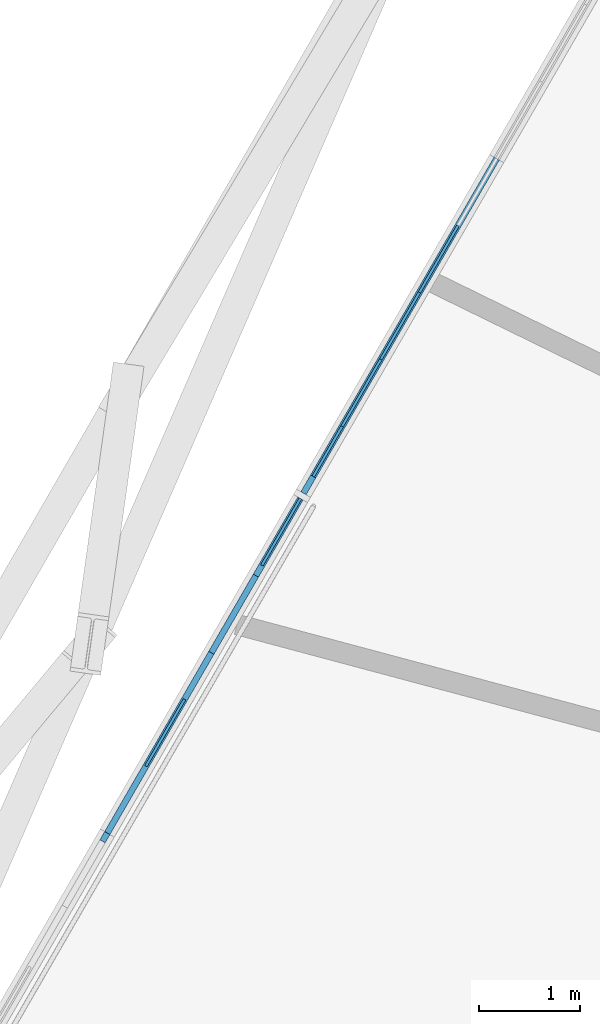
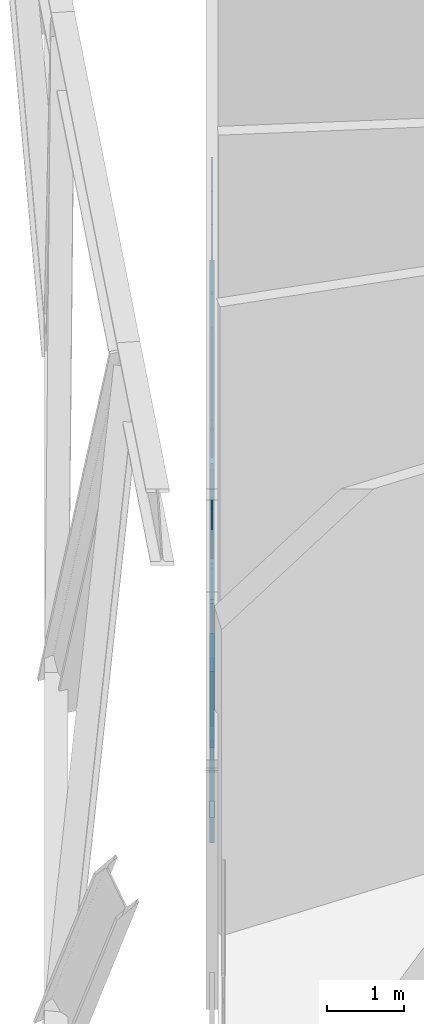
# One storey, part 13 of 29: 12 plates, 1 element without a shape of its own.
"""IFC4 building model written with IfcOpenShell, lengths in metres."""

from ifc_helpers import new_model, si_unit, direction, frame, origin, origin_2d, place, context, subcontext, project, spatial, rectangle, extrude, material, layer, layer_set, type_object, element, aggregate, save


model = new_model("IFC4")

# Units and contexts
model_context = context("Model", 3, precision=1e-05, world=origin(), true_north=direction((0.0, 1.0)))
body_context = subcontext(model_context, "Body", "Model", "MODEL_VIEW")
ifc_project = project(units=[si_unit("LENGTHUNIT", "METRE"), si_unit("AREAUNIT", "SQUARE_METRE"), si_unit("VOLUMEUNIT", "CUBIC_METRE"), si_unit("PLANEANGLEUNIT", "RADIAN"), si_unit("MASSUNIT", "GRAM", prefix="KILO")], contexts=[model_context])

# Site, building, storey
site_placement = place(None, origin())
site = spatial("IfcSite", under=ifc_project, at=site_placement, CompositionType="ELEMENT")
building_placement = place(site_placement, origin())
building = spatial("IfcBuilding", under=site, at=building_placement, Name="Spindle Arch Residences", CompositionType="ELEMENT")
storey_placement = place(building_placement, frame((0.0, 0.0, 69.89990234375)))
storey = spatial("IfcBuildingStorey", under=building, at=storey_placement, Name="L16", CompositionType="ELEMENT", Elevation=69.89990234375)

# Curtain wall, plates
ifc_material_1 = material(Name="Aluminium bronze unitised frame with tinted glass", Category="aluminium")
ifc_layer_1 = layer(ifc_material_1, 0.159912109375)
ifc_layer_set_1 = layer_set([ifc_layer_1], Name="CW-E double-height winter garden wall")
curtain_wall_type = type_object("IfcCurtainWallType", Name="CW-E double-height winter garden wall", PredefinedType="NOTDEFINED", material=ifc_layer_set_1)
curtain_wall_placement = place(storey_placement, origin())
curtain_wall = element("IfcCurtainWall", 1, at=curtain_wall_placement, inside=storey, type_object=curtain_wall_type, Name="CW-E L16 run 4", PredefinedType="NOTDEFINED")
ifc_material_2 = material(Name="Tinted laminated glass 28 mm", Category="glass")
ifc_layer_2 = layer(ifc_material_2, 0.028076171875)
ifc_layer_set_2 = layer_set([ifc_layer_2], Name="Tinted glass panel 28 mm")
plate_type_1 = type_object("IfcPlateType", Name="Tinted glass panel 28 mm", PredefinedType="CURTAIN_PANEL", material=ifc_layer_set_2)
plate_1_placement = place(storey_placement, frame((-17.640869140625, 8.864990234375, 3.460205078125), z_axis=(0.0, 0.0, 1.0), x_axis=(-0.5, -0.866025403784, 0.0)))
plate_1 = element("IfcPlate", 2, at=plate_1_placement, type_object=plate_type_1, Name="CW-E panel 15Bb.2", PredefinedType="CURTAIN_PANEL", context=body_context, shape_type="SweptSolid", body=[
    extrude(rectangle(XDim=0.761962890625, YDim=0.028076171875, at=origin_2d()), origin(), (0.0, 0.0, 1.0), 2.0458984375),
])
plate_2_placement = place(storey_placement, frame((-18.021728515625, 8.205078125, 3.460205078125), z_axis=(0.0, 0.0, 1.0), x_axis=(-0.5, -0.866025403784, 0.0)))
plate_2 = element("IfcPlate", 3, at=plate_2_placement, type_object=plate_type_1, Name="CW-E panel 15Bb.3", PredefinedType="CURTAIN_PANEL", context=body_context, shape_type="SweptSolid", body=[
    extrude(rectangle(XDim=0.761962890625, YDim=0.028076171875, at=origin_2d()), origin(), (0.0, 0.0, 1.0), 2.0458984375),
])
plate_3_placement = place(storey_placement, frame((-18.40283203125, 7.545166015625, 3.460205078125), z_axis=(0.0, 0.0, 1.0), x_axis=(-0.5, -0.866025403784, 0.0)))
plate_3 = element("IfcPlate", 4, at=plate_3_placement, type_object=plate_type_1, Name="CW-E panel 15Bb.4", PredefinedType="CURTAIN_PANEL", context=body_context, shape_type="SweptSolid", body=[
    extrude(rectangle(XDim=0.761962890625, YDim=0.028076171875, at=origin_2d()), origin(), (0.0, 0.0, 1.0), 2.0458984375),
])
plate_4_placement = place(storey_placement, frame((-18.78369140625, 6.88525390625, 3.460205078125), z_axis=(0.0, 0.0, 1.0), x_axis=(-0.5, -0.866025403784, 0.0)))
plate_4 = element("IfcPlate", 5, at=plate_4_placement, type_object=plate_type_1, Name="CW-E panel 15Bb.5", PredefinedType="CURTAIN_PANEL", context=body_context, shape_type="SweptSolid", body=[
    extrude(rectangle(XDim=0.761962890625, YDim=0.028076171875, at=origin_2d()), origin(), (0.0, 0.0, 1.0), 2.0458984375),
])
plate_5_placement = place(storey_placement, frame((-19.19482421875, 6.17333984375, 3.460205078125), z_axis=(0.0, 0.0, 1.0), x_axis=(-0.5, -0.866025403784, 0.0)))
plate_5 = element("IfcPlate", 6, at=plate_5_placement, type_object=plate_type_1, Name="CW-E panel 16Ab.1", PredefinedType="CURTAIN_PANEL", context=body_context, shape_type="SweptSolid", body=[
    extrude(rectangle(XDim=0.761962890625, YDim=0.028076171875, at=origin_2d()), origin(), (0.0, 0.0, 1.0), 2.0458984375),
])
plate_6_placement = place(storey_placement, frame((-20.337890625, 4.193603515625, 3.460205078125), z_axis=(0.0, 0.0, 1.0), x_axis=(-0.5, -0.866025403784, 0.0)))
plate_6 = element("IfcPlate", 7, at=plate_6_placement, type_object=plate_type_1, Name="CW-E panel 16Ab.2", PredefinedType="CURTAIN_PANEL", context=body_context, shape_type="SweptSolid", body=[
    extrude(rectangle(XDim=0.761962890625, YDim=0.028076171875, at=origin_2d()), origin(), (0.0, 0.0, 1.0), 0.96484375),
])
ifc_material_3 = material(Name="Tinted double glazing over aluminium faced non-combustible spandrel zone (K0)", Category="aluminium")
ifc_layer_3 = layer(ifc_material_3, 0.06005859375)
ifc_layer_set_3 = layer_set([ifc_layer_3], Name="Unitised glass panel with E 60 spandrel zone")
plate_type_2 = type_object("IfcPlateType", Name="Unitised glass panel with E 60 spandrel zone", PredefinedType="CURTAIN_PANEL", material=ifc_layer_set_3)
plate_7_placement = place(storey_placement, frame((-17.97412109375, 8.287841796875, -0.449951171875), z_axis=(0.0, 0.0, 1.0), x_axis=(-0.5, -0.866025403784, 0.0)))
plate_7 = element("IfcPlate", 8, at=plate_7_placement, type_object=plate_type_2, Name="CW-E panel 15Ba.1", PredefinedType="CURTAIN_PANEL", context=body_context, shape_type="SweptSolid", body=[
    extrude(rectangle(XDim=3.619384765625, YDim=0.06005859375, at=origin_2d()), origin(), (0.0, 0.0, 1.0), 3.7900390625),
])
plate_8_placement = place(storey_placement, frame((-18.926513671875, 6.637939453125, 0.11083984375), z_axis=(0.0, 0.0, 1.0), x_axis=(-0.5, -0.866025403784, 0.0)))
plate_8 = element("IfcPlate", 9, at=plate_8_placement, type_object=plate_type_2, Name="CW-E panel 15Ba.2", PredefinedType="CURTAIN_PANEL", context=body_context, shape_type="SweptSolid", body=[
    extrude(rectangle(XDim=0.190673828125, YDim=0.06005859375, at=origin_2d()), origin(), (0.0, 0.0, 1.0), 3.229248046875),
])
plate_9_placement = place(storey_placement, frame((-19.223876953125, 6.123046875, 2.869384765625), z_axis=(0.0, 0.0, 1.0), x_axis=(-0.5, -0.866025403784, 0.0)))
plate_9 = element("IfcPlate", 10, at=plate_9_placement, type_object=plate_type_2, Name="CW-E panel 16Aa.1", PredefinedType="CURTAIN_PANEL", context=body_context, shape_type="SweptSolid", body=[
    extrude(rectangle(XDim=0.87841796875, YDim=0.06005859375, at=origin_2d()), origin(), (0.0, 0.0, 1.0), 0.470703125),
])
plate_10_placement = place(storey_placement, frame((-19.6630859375, 5.3623046875, -0.44970703125), z_axis=(0.0, 0.0, 1.0), x_axis=(-0.5, -0.866025403784, 0.0)))
plate_10 = element("IfcPlate", 11, at=plate_10_placement, type_object=plate_type_2, Name="CW-E panel 16Aa.2", PredefinedType="CURTAIN_PANEL", context=body_context, shape_type="SweptSolid", body=[
    extrude(rectangle(XDim=0.87841796875, YDim=0.06005859375, at=origin_2d()), origin(), (0.0, 0.0, 1.0), 1.207763671875),
])
plate_11_placement = place(storey_placement, frame((-20.39599609375, 4.093017578125, -0.449951171875), z_axis=(0.0, 0.0, 1.0), x_axis=(-0.5, -0.866025403784, 0.0)))
plate_11 = element("IfcPlate", 12, at=plate_11_placement, type_object=plate_type_2, Name="CW-E panel 16Aa.3", PredefinedType="CURTAIN_PANEL", context=body_context, shape_type="SweptSolid", body=[
    extrude(rectangle(XDim=2.053466796875, YDim=0.06005859375, at=origin_2d()), origin(), (0.0, 0.0, 1.0), 3.7900390625),
])
plate_12_placement = place(storey_placement, frame((-20.932861328125, 3.1630859375, -0.449951171875), z_axis=(0.0, 0.0, 1.0), x_axis=(-0.5, -0.866025403784, 0.0)))
plate_12 = element("IfcPlate", 13, at=plate_12_placement, type_object=plate_type_2, Name="CW-E panel 16Ba.1", PredefinedType="CURTAIN_PANEL", context=body_context, shape_type="SweptSolid", body=[
    extrude(rectangle(XDim=0.09423828125, YDim=0.06005859375, at=origin_2d()), origin(), (0.0, 0.0, 1.0), 3.7900390625),
])
aggregate(curtain_wall, [plate_7, plate_8, plate_1, plate_2, plate_3, plate_4, plate_9, plate_10, plate_11, plate_5, plate_6, plate_12])

save(model, "model.ifc")
